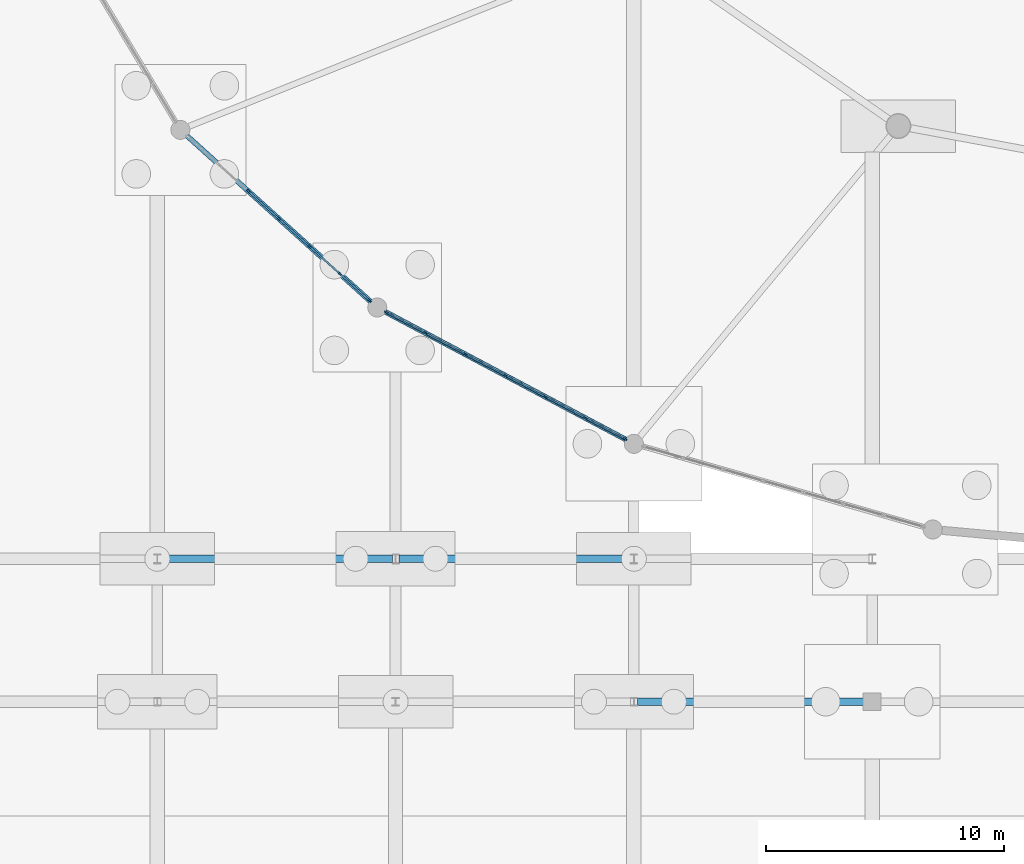
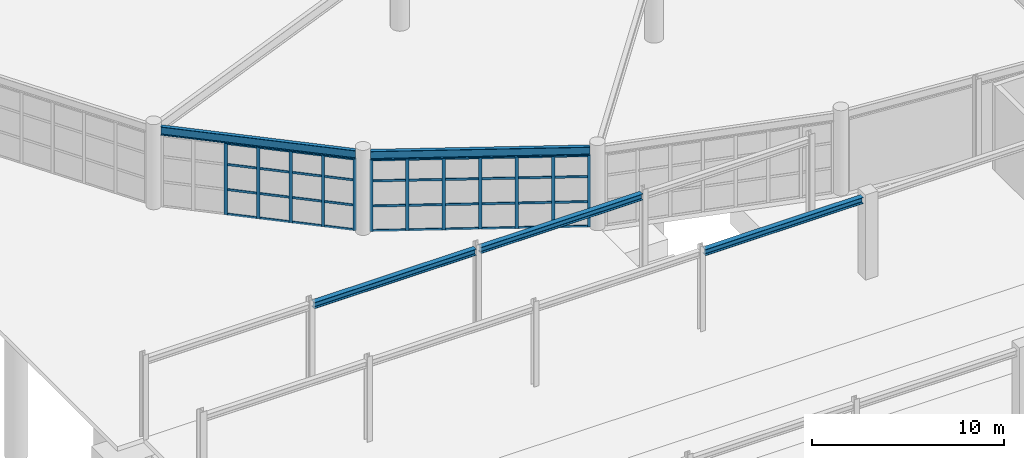
# One storey, part 31 of 99: 52 members, 5 beams, 2 elements without a shape of their own.
"""IFC4 building model written with IfcOpenShell, lengths in metres."""

from ifc_helpers import new_model, si_unit, direction, frame, origin, origin_2d, place, context, subcontext, project, spatial, rectangle, i_section, extrude, material, layer, layer_set, material_profile, profile_set, type_object, element, aggregate, save


model = new_model("IFC4")

# Units and contexts
model_context = context("Model", 3, precision=1e-05, world=origin(), true_north=direction((0.0, 1.0)))
body_context = subcontext(model_context, "Body", "Model", "MODEL_VIEW")
ifc_project = project(units=[si_unit("LENGTHUNIT", "METRE"), si_unit("AREAUNIT", "SQUARE_METRE"), si_unit("VOLUMEUNIT", "CUBIC_METRE"), si_unit("PLANEANGLEUNIT", "RADIAN"), si_unit("MASSUNIT", "GRAM", prefix="KILO")], contexts=[model_context])

# Site, building, storey
site_placement = place(None, origin())
site = spatial("IfcSite", under=ifc_project, at=site_placement, CompositionType="ELEMENT")
building_placement = place(site_placement, origin())
building = spatial("IfcBuilding", under=site, at=building_placement, Name="Kivolera Central Railway Station", CompositionType="ELEMENT")
storey_placement = place(building_placement, origin())
storey = spatial("IfcBuildingStorey", under=building, at=storey_placement, Name="L00", CompositionType="ELEMENT", Elevation=0.0)

# Beams
ifc_material_1 = material(Name="Steel S355", Category="steel")
ifc_material_profile_1 = material_profile(ifc_material_1, i_section(OverallWidth=0.300048828125, OverallDepth=0.389892578125, WebThickness=0.010986328125, FlangeThickness=0.01904296875, FilletRadius=0.027099609375, at=origin_2d()), Name="HEA 400")
ifc_profile_set_1 = profile_set([ifc_material_profile_1], Name="Steel S355")
beam_type_1 = type_object("IfcBeamType", Name="BM-SHD-HEA400", PredefinedType="BEAM", material=ifc_profile_set_1)
beam_1_placement = place(storey_placement, frame((38.14697265625, 48.0, 4.919921875), z_axis=(1.0, 0.0, 0.0), x_axis=(0.0, 1.0, 0.0)))
element("IfcBeam", 1, at=beam_1_placement, inside=storey, type_object=beam_type_1, Name="Train Shed Longitudinal Tie Beam D:4-5", PredefinedType="BEAM", context=body_context, shape_type="SweptSolid", body=[
    extrude(i_section(OverallWidth=0.300048828125, OverallDepth=0.389892578125, WebThickness=0.010986328125, FlangeThickness=0.01904296875, FilletRadius=0.027099609375, at=origin_2d()), origin(), (0.0, 0.0, 1.0), 9.486083984375),
])
for number, where, z_axis, x_axis, name in (
    (2, (18.136962890625, 54.0, 4.919921875), (1.0, 0.0, 0.0), (0.0, 1.0, 0.0), "Train Shed Longitudinal Tie Beam E:2-3"),
    (3, (28.136962890625, 54.0, 4.919921875), (1.0, 0.0, 0.0), (0.0, 1.0, 0.0), "Train Shed Longitudinal Tie Beam E:3-4"),
):
    element("IfcBeam", number, at=place(storey_placement, frame(where, z_axis=z_axis, x_axis=x_axis)), inside=storey, type_object=beam_type_1, Name=name, PredefinedType="BEAM", context=body_context, shape_type="SweptSolid", body=[
        extrude(i_section(OverallWidth=0.300048828125, OverallDepth=0.389892578125, WebThickness=0.010986328125, FlangeThickness=0.01904296875, FilletRadius=0.027099609375, at=origin_2d()), origin(), (0.0, 0.0, 1.0), 9.72607421875),
    ])
ifc_material_profile_2 = material_profile(ifc_material_1, i_section(OverallWidth=0.209228515625, OverallDepth=0.533203125, WebThickness=0.010009765625, FlangeThickness=0.015625, FilletRadius=0.0126953125, at=origin_2d()), Name="UB 533x210x92")
ifc_profile_set_2 = profile_set([ifc_material_profile_2], Name="Steel S355")
beam_type_2 = type_object("IfcBeamType", Name="BM-SHD-UB533", PredefinedType="BEAM", material=ifc_profile_set_2)
beam_2_placement = place(storey_placement, frame((19.257080078125, 71.739013671875, 4.841064453125), z_axis=(0.742356199881, -0.670005427215, 0.0), x_axis=(0.670005427215, 0.742356199881, 0.0)))
element("IfcBeam", 4, at=beam_2_placement, inside=storey, type_object=beam_type_2, Name="L00 Oval Perimeter Ring Beam 15", PredefinedType="BEAM", context=body_context, shape_type="SweptSolid", body=[
    extrude(i_section(OverallWidth=0.209228515625, OverallDepth=0.533203125, WebThickness=0.010009765625, FlangeThickness=0.015625, FilletRadius=0.0126953125, at=origin_2d()), origin(), (0.0, 0.0, 1.0), 10.349365234375),
])
beam_3_placement = place(storey_placement, frame((27.573974609375, 64.361083984375, 4.841064453125), z_axis=(0.883155588993, -0.469080169725, 0.0), x_axis=(0.469080169725, 0.883155588993, 0.0)))
element("IfcBeam", 5, at=beam_3_placement, inside=storey, type_object=beam_type_2, Name="L00 Oval Perimeter Ring Beam 16", PredefinedType="BEAM", context=body_context, shape_type="SweptSolid", body=[
    extrude(i_section(OverallWidth=0.209228515625, OverallDepth=0.533203125, WebThickness=0.010009765625, FlangeThickness=0.015625, FilletRadius=0.0126953125, at=origin_2d()), origin(), (0.0, 0.0, 1.0), 11.416015625),
])

# Curtain wall, members
ifc_material_2 = material(Name="Anodised aluminium", Category="aluminium")
ifc_layer_1 = layer(ifc_material_2, 0.179931640625, Name="Anodised aluminium")
ifc_layer_set_1 = layer_set([ifc_layer_1], Name="Anodised aluminium")
curtain_wall_type_1 = type_object("IfcCurtainWallType", Name="CW-SYS-04", PredefinedType="NOTDEFINED", material=ifc_layer_set_1)
curtain_wall_1_placement = place(storey_placement, origin())
curtain_wall_1 = element("IfcCurtainWall", 6, at=curtain_wall_1_placement, inside=storey, type_object=curtain_wall_type_1, Name="L00 Curtain Wall CW-L00-OVL-14", PredefinedType="NOTDEFINED")
ifc_material_profile_3 = material_profile(ifc_material_2, rectangle(XDim=0.070068359375, YDim=0.179931640625, at=origin_2d()), Name="ALU MULL 70x180")
ifc_profile_set_3 = profile_set([ifc_material_profile_3], Name="Anodised aluminium")
member_type_1 = type_object("IfcMemberType", Name="CWM-MUL-1", PredefinedType="MULLION", material=ifc_profile_set_3)
member_1_placement = place(storey_placement, frame((26.906982421875, 64.83544921875, -0.0048828125), z_axis=(0.0, 0.0, 1.0), x_axis=(-0.66992157428, -0.742431871833, 0.0)))
member_1 = element("IfcMember", 7, at=member_1_placement, type_object=member_type_1, Name="CW-04 mullion 1", PredefinedType="MULLION", context=body_context, shape_type="SweptSolid", body=[
    extrude(rectangle(XDim=0.070068359375, YDim=0.179931640625, at=origin_2d()), origin(), (0.0, 0.0, 1.0), 4.554931640625),
])
member_2_placement = place(storey_placement, frame((25.65478515625, 65.96533203125, -0.0048828125), z_axis=(0.0, 0.0, 1.0), x_axis=(-0.66992157428, -0.742431871833, 0.0)))
member_2 = element("IfcMember", 8, at=member_2_placement, type_object=member_type_1, Name="CW-04 mullion 2", PredefinedType="MULLION", context=body_context, shape_type="SweptSolid", body=[
    extrude(rectangle(XDim=0.070068359375, YDim=0.179931640625, at=origin_2d()), origin(), (0.0, 0.0, 1.0), 4.554931640625),
])
member_3_placement = place(storey_placement, frame((24.376708984375, 67.11865234375, -0.0048828125), z_axis=(0.0, 0.0, 1.0), x_axis=(-0.66992157428, -0.742431871833, 0.0)))
member_3 = element("IfcMember", 9, at=member_3_placement, type_object=member_type_1, Name="CW-04 mullion 3", PredefinedType="MULLION", context=body_context, shape_type="SweptSolid", body=[
    extrude(rectangle(XDim=0.070068359375, YDim=0.179931640625, at=origin_2d()), origin(), (0.0, 0.0, 1.0), 4.554931640625),
])
member_4_placement = place(storey_placement, frame((23.098388671875, 68.27197265625, -0.0048828125), z_axis=(0.0, 0.0, 1.0), x_axis=(-0.66992157428, -0.742431871833, 0.0)))
member_4 = element("IfcMember", 10, at=member_4_placement, type_object=member_type_1, Name="CW-04 mullion 4", PredefinedType="MULLION", context=body_context, shape_type="SweptSolid", body=[
    extrude(rectangle(XDim=0.070068359375, YDim=0.179931640625, at=origin_2d()), origin(), (0.0, 0.0, 1.0), 4.554931640625),
])
member_5_placement = place(storey_placement, frame((21.8203125, 69.42529296875, -0.0048828125), z_axis=(0.0, 0.0, 1.0), x_axis=(-0.66992157428, -0.742431871833, 0.0)))
member_5 = element("IfcMember", 11, at=member_5_placement, type_object=member_type_1, Name="CW-04 mullion 5", PredefinedType="MULLION", context=body_context, shape_type="SweptSolid", body=[
    extrude(rectangle(XDim=0.070068359375, YDim=0.179931640625, at=origin_2d()), origin(), (0.0, 0.0, 1.0), 4.554931640625),
])

ifc_layer_2 = layer(ifc_material_2, 0.179931640625, Name="Anodised aluminium")
ifc_layer_set_2 = layer_set([ifc_layer_2], Name="Anodised aluminium")
curtain_wall_type_2 = type_object("IfcCurtainWallType", Name="CW-SYS-07", PredefinedType="NOTDEFINED", material=ifc_layer_set_2)
curtain_wall_2_placement = place(storey_placement, origin())
curtain_wall_2 = element("IfcCurtainWall", 12, at=curtain_wall_2_placement, inside=storey, type_object=curtain_wall_type_2, Name="L00 Curtain Wall CW-L00-OVL-15", PredefinedType="NOTDEFINED")
member_6_placement = place(storey_placement, frame((37.6162109375, 59.02734375, -0.0048828125), z_axis=(0.0, 0.0, 1.0), x_axis=(-0.469052563023, -0.883170251493, 0.0)))
member_6 = element("IfcMember", 13, at=member_6_placement, type_object=member_type_1, Name="CW-07 mullion 1", PredefinedType="MULLION", context=body_context, shape_type="SweptSolid", body=[
    extrude(rectangle(XDim=0.070068359375, YDim=0.179931640625, at=origin_2d()), origin(), (0.0, 0.0, 1.0), 4.554931640625),
])
member_7_placement = place(storey_placement, frame((35.9697265625, 59.90185546875, -0.0048828125), z_axis=(0.0, 0.0, 1.0), x_axis=(-0.469052563023, -0.883170251493, 0.0)))
member_7 = element("IfcMember", 14, at=member_7_placement, type_object=member_type_1, Name="CW-07 mullion 2", PredefinedType="MULLION", context=body_context, shape_type="SweptSolid", body=[
    extrude(rectangle(XDim=0.070068359375, YDim=0.179931640625, at=origin_2d()), origin(), (0.0, 0.0, 1.0), 4.554931640625),
])
member_8_placement = place(storey_placement, frame((34.292236328125, 60.792724609375, -0.0048828125), z_axis=(0.0, 0.0, 1.0), x_axis=(-0.469052563023, -0.883170251493, 0.0)))
member_8 = element("IfcMember", 15, at=member_8_placement, type_object=member_type_1, Name="CW-07 mullion 3", PredefinedType="MULLION", context=body_context, shape_type="SweptSolid", body=[
    extrude(rectangle(XDim=0.070068359375, YDim=0.179931640625, at=origin_2d()), origin(), (0.0, 0.0, 1.0), 4.554931640625),
])
member_9_placement = place(storey_placement, frame((32.614990234375, 61.68359375, -0.0048828125), z_axis=(0.0, 0.0, 1.0), x_axis=(-0.469052563023, -0.883170251493, 0.0)))
member_9 = element("IfcMember", 16, at=member_9_placement, type_object=member_type_1, Name="CW-07 mullion 4", PredefinedType="MULLION", context=body_context, shape_type="SweptSolid", body=[
    extrude(rectangle(XDim=0.070068359375, YDim=0.179931640625, at=origin_2d()), origin(), (0.0, 0.0, 1.0), 4.554931640625),
])
member_10_placement = place(storey_placement, frame((30.937744140625, 62.57421875, -0.0048828125), z_axis=(0.0, 0.0, 1.0), x_axis=(-0.469052563023, -0.883170251493, 0.0)))
member_10 = element("IfcMember", 17, at=member_10_placement, type_object=member_type_1, Name="CW-07 mullion 5", PredefinedType="MULLION", context=body_context, shape_type="SweptSolid", body=[
    extrude(rectangle(XDim=0.070068359375, YDim=0.179931640625, at=origin_2d()), origin(), (0.0, 0.0, 1.0), 4.554931640625),
])
member_11_placement = place(storey_placement, frame((29.26025390625, 63.465087890625, -0.0048828125), z_axis=(0.0, 0.0, 1.0), x_axis=(-0.469052563023, -0.883170251493, 0.0)))
member_11 = element("IfcMember", 18, at=member_11_placement, type_object=member_type_1, Name="CW-07 mullion 6", PredefinedType="MULLION", context=body_context, shape_type="SweptSolid", body=[
    extrude(rectangle(XDim=0.070068359375, YDim=0.179931640625, at=origin_2d()), origin(), (0.0, 0.0, 1.0), 4.554931640625),
])
member_12_placement = place(storey_placement, frame((27.614013671875, 64.339599609375, -0.0048828125), z_axis=(0.0, 0.0, 1.0), x_axis=(-0.469052563023, -0.883170251493, 0.0)))
member_12 = element("IfcMember", 19, at=member_12_placement, type_object=member_type_1, Name="CW-07 mullion 7", PredefinedType="MULLION", context=body_context, shape_type="SweptSolid", body=[
    extrude(rectangle(XDim=0.070068359375, YDim=0.179931640625, at=origin_2d()), origin(), (0.0, 0.0, 1.0), 4.554931640625),
])

# Member
ifc_material_profile_4 = material_profile(ifc_material_2, rectangle(XDim=0.070068359375, YDim=0.139892578125, at=origin_2d()), Name="ALU TRAN 70x140")
ifc_profile_set_4 = profile_set([ifc_material_profile_4], Name="Anodised aluminium")
member_type_2 = type_object("IfcMemberType", Name="CWM-TRN-1", PredefinedType="USERDEFINED", material=ifc_profile_set_4)
member_13_placement = place(storey_placement, frame((26.881103515625, 64.85888671875, 0.034912109375), z_axis=(-0.742422429893, 0.66993203804, 0.0), x_axis=(-0.66993203804, -0.742422429893, 0.0)))
member_13 = element("IfcMember", 20, at=member_13_placement, type_object=member_type_2, Name="CW-04 transom 1.1", ObjectType="TRANSOM", PredefinedType="USERDEFINED", context=body_context, shape_type="SweptSolid", body=[
    extrude(rectangle(XDim=0.070068359375, YDim=0.139892578125, at=origin_2d()), origin(), (0.0, 0.0, 1.0), 1.61669921875),
])

member_14_placement = place(storey_placement, frame((26.881103515625, 64.85888671875, 1.592529296875), z_axis=(-0.742422429893, 0.66993203804, 0.0), x_axis=(-0.66993203804, -0.742422429893, 0.0)))
member_14 = element("IfcMember", 21, at=member_14_placement, type_object=member_type_2, Name="CW-04 transom 1.2", ObjectType="TRANSOM", PredefinedType="USERDEFINED", context=body_context, shape_type="SweptSolid", body=[
    extrude(rectangle(XDim=0.070068359375, YDim=0.139892578125, at=origin_2d()), origin(), (0.0, 0.0, 1.0), 1.61669921875),
])

member_15_placement = place(storey_placement, frame((26.881103515625, 64.85888671875, 3.18505859375), z_axis=(-0.742422429893, 0.66993203804, 0.0), x_axis=(-0.66993203804, -0.742422429893, 0.0)))
member_15 = element("IfcMember", 22, at=member_15_placement, type_object=member_type_2, Name="CW-04 transom 1.3", ObjectType="TRANSOM", PredefinedType="USERDEFINED", context=body_context, shape_type="SweptSolid", body=[
    extrude(rectangle(XDim=0.070068359375, YDim=0.139892578125, at=origin_2d()), origin(), (0.0, 0.0, 1.0), 1.61669921875),
])

member_16_placement = place(storey_placement, frame((26.881103515625, 64.85888671875, 4.514892578125), z_axis=(-0.742422429893, 0.66993203804, 0.0), x_axis=(-0.66993203804, -0.742422429893, 0.0)))
member_16 = element("IfcMember", 23, at=member_16_placement, type_object=member_type_2, Name="CW-04 transom 1.4", ObjectType="TRANSOM", PredefinedType="USERDEFINED", context=body_context, shape_type="SweptSolid", body=[
    extrude(rectangle(XDim=0.070068359375, YDim=0.139892578125, at=origin_2d()), origin(), (0.0, 0.0, 1.0), 1.61669921875),
])

member_17_placement = place(storey_placement, frame((25.62890625, 65.98876953125, 0.034912109375), z_axis=(-0.74246304586, 0.669887024455, 0.0), x_axis=(-0.669887024455, -0.74246304586, 0.0)))
member_17 = element("IfcMember", 24, at=member_17_placement, type_object=member_type_2, Name="CW-04 transom 2.1", ObjectType="TRANSOM", PredefinedType="USERDEFINED", context=body_context, shape_type="SweptSolid", body=[
    extrude(rectangle(XDim=0.070068359375, YDim=0.139892578125, at=origin_2d()), origin(), (0.0, 0.0, 1.0), 1.651611328125),
])

member_18_placement = place(storey_placement, frame((25.62890625, 65.98876953125, 1.592529296875), z_axis=(-0.74246304586, 0.669887024455, 0.0), x_axis=(-0.669887024455, -0.74246304586, 0.0)))
member_18 = element("IfcMember", 25, at=member_18_placement, type_object=member_type_2, Name="CW-04 transom 2.2", ObjectType="TRANSOM", PredefinedType="USERDEFINED", context=body_context, shape_type="SweptSolid", body=[
    extrude(rectangle(XDim=0.070068359375, YDim=0.139892578125, at=origin_2d()), origin(), (0.0, 0.0, 1.0), 1.651611328125),
])

member_19_placement = place(storey_placement, frame((25.62890625, 65.98876953125, 3.18505859375), z_axis=(-0.74246304586, 0.669887024455, 0.0), x_axis=(-0.669887024455, -0.74246304586, 0.0)))
member_19 = element("IfcMember", 26, at=member_19_placement, type_object=member_type_2, Name="CW-04 transom 2.3", ObjectType="TRANSOM", PredefinedType="USERDEFINED", context=body_context, shape_type="SweptSolid", body=[
    extrude(rectangle(XDim=0.070068359375, YDim=0.139892578125, at=origin_2d()), origin(), (0.0, 0.0, 1.0), 1.651611328125),
])

member_20_placement = place(storey_placement, frame((25.62890625, 65.98876953125, 4.514892578125), z_axis=(-0.74246304586, 0.669887024455, 0.0), x_axis=(-0.669887024455, -0.74246304586, 0.0)))
member_20 = element("IfcMember", 27, at=member_20_placement, type_object=member_type_2, Name="CW-04 transom 2.4", ObjectType="TRANSOM", PredefinedType="USERDEFINED", context=body_context, shape_type="SweptSolid", body=[
    extrude(rectangle(XDim=0.070068359375, YDim=0.139892578125, at=origin_2d()), origin(), (0.0, 0.0, 1.0), 1.651611328125),
])

member_21_placement = place(storey_placement, frame((24.3505859375, 67.14208984375, 0.034912109375), z_axis=(-0.742396704206, 0.669960546289, 0.0), x_axis=(-0.669960546289, -0.742396704206, 0.0)))
member_21 = element("IfcMember", 28, at=member_21_placement, type_object=member_type_2, Name="CW-04 transom 3.1", ObjectType="TRANSOM", PredefinedType="USERDEFINED", context=body_context, shape_type="SweptSolid", body=[
    extrude(rectangle(XDim=0.070068359375, YDim=0.139892578125, at=origin_2d()), origin(), (0.0, 0.0, 1.0), 1.651611328125),
])

member_22_placement = place(storey_placement, frame((24.3505859375, 67.14208984375, 1.592529296875), z_axis=(-0.742396704206, 0.669960546289, 0.0), x_axis=(-0.669960546289, -0.742396704206, 0.0)))
member_22 = element("IfcMember", 29, at=member_22_placement, type_object=member_type_2, Name="CW-04 transom 3.2", ObjectType="TRANSOM", PredefinedType="USERDEFINED", context=body_context, shape_type="SweptSolid", body=[
    extrude(rectangle(XDim=0.070068359375, YDim=0.139892578125, at=origin_2d()), origin(), (0.0, 0.0, 1.0), 1.651611328125),
])

member_23_placement = place(storey_placement, frame((24.3505859375, 67.14208984375, 3.18505859375), z_axis=(-0.742396704206, 0.669960546289, 0.0), x_axis=(-0.669960546289, -0.742396704206, 0.0)))
member_23 = element("IfcMember", 30, at=member_23_placement, type_object=member_type_2, Name="CW-04 transom 3.3", ObjectType="TRANSOM", PredefinedType="USERDEFINED", context=body_context, shape_type="SweptSolid", body=[
    extrude(rectangle(XDim=0.070068359375, YDim=0.139892578125, at=origin_2d()), origin(), (0.0, 0.0, 1.0), 1.651611328125),
])

member_24_placement = place(storey_placement, frame((24.3505859375, 67.14208984375, 4.514892578125), z_axis=(-0.742396704206, 0.669960546289, 0.0), x_axis=(-0.669960546289, -0.742396704206, 0.0)))
member_24 = element("IfcMember", 31, at=member_24_placement, type_object=member_type_2, Name="CW-04 transom 3.4", ObjectType="TRANSOM", PredefinedType="USERDEFINED", context=body_context, shape_type="SweptSolid", body=[
    extrude(rectangle(XDim=0.070068359375, YDim=0.139892578125, at=origin_2d()), origin(), (0.0, 0.0, 1.0), 1.651611328125),
])

member_25_placement = place(storey_placement, frame((23.072509765625, 68.29541015625, 0.034912109375), z_axis=(-0.742396704206, 0.669960546289, 0.0), x_axis=(-0.669960546289, -0.742396704206, 0.0)))
member_25 = element("IfcMember", 32, at=member_25_placement, type_object=member_type_2, Name="CW-04 transom 4.1", ObjectType="TRANSOM", PredefinedType="USERDEFINED", context=body_context, shape_type="SweptSolid", body=[
    extrude(rectangle(XDim=0.070068359375, YDim=0.139892578125, at=origin_2d()), origin(), (0.0, 0.0, 1.0), 1.651611328125),
])

member_26_placement = place(storey_placement, frame((23.072509765625, 68.29541015625, 1.592529296875), z_axis=(-0.742396704206, 0.669960546289, 0.0), x_axis=(-0.669960546289, -0.742396704206, 0.0)))
member_26 = element("IfcMember", 33, at=member_26_placement, type_object=member_type_2, Name="CW-04 transom 4.2", ObjectType="TRANSOM", PredefinedType="USERDEFINED", context=body_context, shape_type="SweptSolid", body=[
    extrude(rectangle(XDim=0.070068359375, YDim=0.139892578125, at=origin_2d()), origin(), (0.0, 0.0, 1.0), 1.651611328125),
])

member_27_placement = place(storey_placement, frame((23.072509765625, 68.29541015625, 3.18505859375), z_axis=(-0.742396704206, 0.669960546289, 0.0), x_axis=(-0.669960546289, -0.742396704206, 0.0)))
member_27 = element("IfcMember", 34, at=member_27_placement, type_object=member_type_2, Name="CW-04 transom 4.3", ObjectType="TRANSOM", PredefinedType="USERDEFINED", context=body_context, shape_type="SweptSolid", body=[
    extrude(rectangle(XDim=0.070068359375, YDim=0.139892578125, at=origin_2d()), origin(), (0.0, 0.0, 1.0), 1.651611328125),
])

member_28_placement = place(storey_placement, frame((23.072509765625, 68.29541015625, 4.514892578125), z_axis=(-0.742396704206, 0.669960546289, 0.0), x_axis=(-0.669960546289, -0.742396704206, 0.0)))
member_28 = element("IfcMember", 35, at=member_28_placement, type_object=member_type_2, Name="CW-04 transom 4.4", ObjectType="TRANSOM", PredefinedType="USERDEFINED", context=body_context, shape_type="SweptSolid", body=[
    extrude(rectangle(XDim=0.070068359375, YDim=0.139892578125, at=origin_2d()), origin(), (0.0, 0.0, 1.0), 1.651611328125),
])

aggregate(curtain_wall_1, [member_1, member_2, member_3, member_4, member_5, member_13, member_14, member_15, member_16, member_17, member_18, member_19, member_20, member_21, member_22, member_23, member_24, member_25, member_26, member_27, member_28])

member_29_placement = place(storey_placement, frame((37.585205078125, 59.0439453125, 0.034912109375), z_axis=(-0.883191460259, 0.469012627255, 0.0), x_axis=(-0.469012627255, -0.883191460259, 0.0)))
member_29 = element("IfcMember", 36, at=member_29_placement, type_object=member_type_2, Name="CW-07 transom 1.1", ObjectType="TRANSOM", PredefinedType="USERDEFINED", context=body_context, shape_type="SweptSolid", body=[
    extrude(rectangle(XDim=0.070068359375, YDim=0.139892578125, at=origin_2d()), origin(), (0.0, 0.0, 1.0), 1.794189453125),
])

member_30_placement = place(storey_placement, frame((37.585205078125, 59.0439453125, 1.592529296875), z_axis=(-0.883191460259, 0.469012627255, 0.0), x_axis=(-0.469012627255, -0.883191460259, 0.0)))
member_30 = element("IfcMember", 37, at=member_30_placement, type_object=member_type_2, Name="CW-07 transom 1.2", ObjectType="TRANSOM", PredefinedType="USERDEFINED", context=body_context, shape_type="SweptSolid", body=[
    extrude(rectangle(XDim=0.070068359375, YDim=0.139892578125, at=origin_2d()), origin(), (0.0, 0.0, 1.0), 1.794189453125),
])

member_31_placement = place(storey_placement, frame((37.585205078125, 59.0439453125, 3.18505859375), z_axis=(-0.883191460259, 0.469012627255, 0.0), x_axis=(-0.469012627255, -0.883191460259, 0.0)))
member_31 = element("IfcMember", 38, at=member_31_placement, type_object=member_type_2, Name="CW-07 transom 1.3", ObjectType="TRANSOM", PredefinedType="USERDEFINED", context=body_context, shape_type="SweptSolid", body=[
    extrude(rectangle(XDim=0.070068359375, YDim=0.139892578125, at=origin_2d()), origin(), (0.0, 0.0, 1.0), 1.794189453125),
])

member_32_placement = place(storey_placement, frame((37.585205078125, 59.0439453125, 4.514892578125), z_axis=(-0.883191460259, 0.469012627255, 0.0), x_axis=(-0.469012627255, -0.883191460259, 0.0)))
member_32 = element("IfcMember", 39, at=member_32_placement, type_object=member_type_2, Name="CW-07 transom 1.4", ObjectType="TRANSOM", PredefinedType="USERDEFINED", context=body_context, shape_type="SweptSolid", body=[
    extrude(rectangle(XDim=0.070068359375, YDim=0.139892578125, at=origin_2d()), origin(), (0.0, 0.0, 1.0), 1.794189453125),
])

member_33_placement = place(storey_placement, frame((35.938720703125, 59.918212890625, 0.034912109375), z_axis=(-0.883131271136, 0.469125951042, 0.0), x_axis=(-0.469125951042, -0.883131271136, 0.0)))
member_33 = element("IfcMember", 40, at=member_33_placement, type_object=member_type_2, Name="CW-07 transom 2.1", ObjectType="TRANSOM", PredefinedType="USERDEFINED", context=body_context, shape_type="SweptSolid", body=[
    extrude(rectangle(XDim=0.070068359375, YDim=0.139892578125, at=origin_2d()), origin(), (0.0, 0.0, 1.0), 1.829345703125),
])

member_34_placement = place(storey_placement, frame((35.938720703125, 59.918212890625, 1.592529296875), z_axis=(-0.883131271136, 0.469125951042, 0.0), x_axis=(-0.469125951042, -0.883131271136, 0.0)))
member_34 = element("IfcMember", 41, at=member_34_placement, type_object=member_type_2, Name="CW-07 transom 2.2", ObjectType="TRANSOM", PredefinedType="USERDEFINED", context=body_context, shape_type="SweptSolid", body=[
    extrude(rectangle(XDim=0.070068359375, YDim=0.139892578125, at=origin_2d()), origin(), (0.0, 0.0, 1.0), 1.829345703125),
])

member_35_placement = place(storey_placement, frame((35.938720703125, 59.918212890625, 3.18505859375), z_axis=(-0.883131271136, 0.469125951042, 0.0), x_axis=(-0.469125951042, -0.883131271136, 0.0)))
member_35 = element("IfcMember", 42, at=member_35_placement, type_object=member_type_2, Name="CW-07 transom 2.3", ObjectType="TRANSOM", PredefinedType="USERDEFINED", context=body_context, shape_type="SweptSolid", body=[
    extrude(rectangle(XDim=0.070068359375, YDim=0.139892578125, at=origin_2d()), origin(), (0.0, 0.0, 1.0), 1.829345703125),
])

member_36_placement = place(storey_placement, frame((35.938720703125, 59.918212890625, 4.514892578125), z_axis=(-0.883131271136, 0.469125951042, 0.0), x_axis=(-0.469125951042, -0.883131271136, 0.0)))
member_36 = element("IfcMember", 43, at=member_36_placement, type_object=member_type_2, Name="CW-07 transom 2.4", ObjectType="TRANSOM", PredefinedType="USERDEFINED", context=body_context, shape_type="SweptSolid", body=[
    extrude(rectangle(XDim=0.070068359375, YDim=0.139892578125, at=origin_2d()), origin(), (0.0, 0.0, 1.0), 1.829345703125),
])

member_37_placement = place(storey_placement, frame((34.261474609375, 60.80908203125, 0.034912109375), z_axis=(-0.88318656257, 0.469021849913, 0.0), x_axis=(-0.469021849913, -0.88318656257, 0.0)))
member_37 = element("IfcMember", 44, at=member_37_placement, type_object=member_type_2, Name="CW-07 transom 3.1", ObjectType="TRANSOM", PredefinedType="USERDEFINED", context=body_context, shape_type="SweptSolid", body=[
    extrude(rectangle(XDim=0.070068359375, YDim=0.139892578125, at=origin_2d()), origin(), (0.0, 0.0, 1.0), 1.8291015625),
])

member_38_placement = place(storey_placement, frame((34.261474609375, 60.80908203125, 1.592529296875), z_axis=(-0.88318656257, 0.469021849913, 0.0), x_axis=(-0.469021849913, -0.88318656257, 0.0)))
member_38 = element("IfcMember", 45, at=member_38_placement, type_object=member_type_2, Name="CW-07 transom 3.2", ObjectType="TRANSOM", PredefinedType="USERDEFINED", context=body_context, shape_type="SweptSolid", body=[
    extrude(rectangle(XDim=0.070068359375, YDim=0.139892578125, at=origin_2d()), origin(), (0.0, 0.0, 1.0), 1.8291015625),
])

member_39_placement = place(storey_placement, frame((34.261474609375, 60.80908203125, 3.18505859375), z_axis=(-0.88318656257, 0.469021849913, 0.0), x_axis=(-0.469021849913, -0.88318656257, 0.0)))
member_39 = element("IfcMember", 46, at=member_39_placement, type_object=member_type_2, Name="CW-07 transom 3.3", ObjectType="TRANSOM", PredefinedType="USERDEFINED", context=body_context, shape_type="SweptSolid", body=[
    extrude(rectangle(XDim=0.070068359375, YDim=0.139892578125, at=origin_2d()), origin(), (0.0, 0.0, 1.0), 1.8291015625),
])

member_40_placement = place(storey_placement, frame((34.261474609375, 60.80908203125, 4.514892578125), z_axis=(-0.88318656257, 0.469021849913, 0.0), x_axis=(-0.469021849913, -0.88318656257, 0.0)))
member_40 = element("IfcMember", 47, at=member_40_placement, type_object=member_type_2, Name="CW-07 transom 3.4", ObjectType="TRANSOM", PredefinedType="USERDEFINED", context=body_context, shape_type="SweptSolid", body=[
    extrude(rectangle(XDim=0.070068359375, YDim=0.139892578125, at=origin_2d()), origin(), (0.0, 0.0, 1.0), 1.8291015625),
])

member_41_placement = place(storey_placement, frame((32.583984375, 61.699951171875, 0.034912109375), z_axis=(-0.88318656257, 0.469021849913, 0.0), x_axis=(-0.469021849913, -0.88318656257, 0.0)))
member_41 = element("IfcMember", 48, at=member_41_placement, type_object=member_type_2, Name="CW-07 transom 4.1", ObjectType="TRANSOM", PredefinedType="USERDEFINED", context=body_context, shape_type="SweptSolid", body=[
    extrude(rectangle(XDim=0.070068359375, YDim=0.139892578125, at=origin_2d()), origin(), (0.0, 0.0, 1.0), 1.8291015625),
])

member_42_placement = place(storey_placement, frame((32.583984375, 61.699951171875, 1.592529296875), z_axis=(-0.88318656257, 0.469021849913, 0.0), x_axis=(-0.469021849913, -0.88318656257, 0.0)))
member_42 = element("IfcMember", 49, at=member_42_placement, type_object=member_type_2, Name="CW-07 transom 4.2", ObjectType="TRANSOM", PredefinedType="USERDEFINED", context=body_context, shape_type="SweptSolid", body=[
    extrude(rectangle(XDim=0.070068359375, YDim=0.139892578125, at=origin_2d()), origin(), (0.0, 0.0, 1.0), 1.8291015625),
])

member_43_placement = place(storey_placement, frame((32.583984375, 61.699951171875, 3.18505859375), z_axis=(-0.88318656257, 0.469021849913, 0.0), x_axis=(-0.469021849913, -0.88318656257, 0.0)))
member_43 = element("IfcMember", 50, at=member_43_placement, type_object=member_type_2, Name="CW-07 transom 4.3", ObjectType="TRANSOM", PredefinedType="USERDEFINED", context=body_context, shape_type="SweptSolid", body=[
    extrude(rectangle(XDim=0.070068359375, YDim=0.139892578125, at=origin_2d()), origin(), (0.0, 0.0, 1.0), 1.8291015625),
])

member_44_placement = place(storey_placement, frame((32.583984375, 61.699951171875, 4.514892578125), z_axis=(-0.88318656257, 0.469021849913, 0.0), x_axis=(-0.469021849913, -0.88318656257, 0.0)))
member_44 = element("IfcMember", 51, at=member_44_placement, type_object=member_type_2, Name="CW-07 transom 4.4", ObjectType="TRANSOM", PredefinedType="USERDEFINED", context=body_context, shape_type="SweptSolid", body=[
    extrude(rectangle(XDim=0.070068359375, YDim=0.139892578125, at=origin_2d()), origin(), (0.0, 0.0, 1.0), 1.8291015625),
])

member_45_placement = place(storey_placement, frame((30.90673828125, 62.5908203125, 0.034912109375), z_axis=(-0.88318656257, 0.469021849913, 0.0), x_axis=(-0.469021849913, -0.88318656257, 0.0)))
member_45 = element("IfcMember", 52, at=member_45_placement, type_object=member_type_2, Name="CW-07 transom 5.1", ObjectType="TRANSOM", PredefinedType="USERDEFINED", context=body_context, shape_type="SweptSolid", body=[
    extrude(rectangle(XDim=0.070068359375, YDim=0.139892578125, at=origin_2d()), origin(), (0.0, 0.0, 1.0), 1.8291015625),
])

member_46_placement = place(storey_placement, frame((30.90673828125, 62.5908203125, 1.592529296875), z_axis=(-0.88318656257, 0.469021849913, 0.0), x_axis=(-0.469021849913, -0.88318656257, 0.0)))
member_46 = element("IfcMember", 53, at=member_46_placement, type_object=member_type_2, Name="CW-07 transom 5.2", ObjectType="TRANSOM", PredefinedType="USERDEFINED", context=body_context, shape_type="SweptSolid", body=[
    extrude(rectangle(XDim=0.070068359375, YDim=0.139892578125, at=origin_2d()), origin(), (0.0, 0.0, 1.0), 1.8291015625),
])

member_47_placement = place(storey_placement, frame((30.90673828125, 62.5908203125, 3.18505859375), z_axis=(-0.88318656257, 0.469021849913, 0.0), x_axis=(-0.469021849913, -0.88318656257, 0.0)))
member_47 = element("IfcMember", 54, at=member_47_placement, type_object=member_type_2, Name="CW-07 transom 5.3", ObjectType="TRANSOM", PredefinedType="USERDEFINED", context=body_context, shape_type="SweptSolid", body=[
    extrude(rectangle(XDim=0.070068359375, YDim=0.139892578125, at=origin_2d()), origin(), (0.0, 0.0, 1.0), 1.8291015625),
])

member_48_placement = place(storey_placement, frame((30.90673828125, 62.5908203125, 4.514892578125), z_axis=(-0.88318656257, 0.469021849913, 0.0), x_axis=(-0.469021849913, -0.88318656257, 0.0)))
member_48 = element("IfcMember", 55, at=member_48_placement, type_object=member_type_2, Name="CW-07 transom 5.4", ObjectType="TRANSOM", PredefinedType="USERDEFINED", context=body_context, shape_type="SweptSolid", body=[
    extrude(rectangle(XDim=0.070068359375, YDim=0.139892578125, at=origin_2d()), origin(), (0.0, 0.0, 1.0), 1.8291015625),
])

member_49_placement = place(storey_placement, frame((29.2294921875, 63.481689453125, 0.034912109375), z_axis=(-0.883191460259, 0.469012627255, 0.0), x_axis=(-0.469012627255, -0.883191460259, 0.0)))
member_49 = element("IfcMember", 56, at=member_49_placement, type_object=member_type_2, Name="CW-07 transom 6.1", ObjectType="TRANSOM", PredefinedType="USERDEFINED", context=body_context, shape_type="SweptSolid", body=[
    extrude(rectangle(XDim=0.070068359375, YDim=0.139892578125, at=origin_2d()), origin(), (0.0, 0.0, 1.0), 1.794189453125),
])

member_50_placement = place(storey_placement, frame((29.2294921875, 63.481689453125, 1.592529296875), z_axis=(-0.883191460259, 0.469012627255, 0.0), x_axis=(-0.469012627255, -0.883191460259, 0.0)))
member_50 = element("IfcMember", 57, at=member_50_placement, type_object=member_type_2, Name="CW-07 transom 6.2", ObjectType="TRANSOM", PredefinedType="USERDEFINED", context=body_context, shape_type="SweptSolid", body=[
    extrude(rectangle(XDim=0.070068359375, YDim=0.139892578125, at=origin_2d()), origin(), (0.0, 0.0, 1.0), 1.794189453125),
])

member_51_placement = place(storey_placement, frame((29.2294921875, 63.481689453125, 3.18505859375), z_axis=(-0.883191460259, 0.469012627255, 0.0), x_axis=(-0.469012627255, -0.883191460259, 0.0)))
member_51 = element("IfcMember", 58, at=member_51_placement, type_object=member_type_2, Name="CW-07 transom 6.3", ObjectType="TRANSOM", PredefinedType="USERDEFINED", context=body_context, shape_type="SweptSolid", body=[
    extrude(rectangle(XDim=0.070068359375, YDim=0.139892578125, at=origin_2d()), origin(), (0.0, 0.0, 1.0), 1.794189453125),
])

member_52_placement = place(storey_placement, frame((29.2294921875, 63.481689453125, 4.514892578125), z_axis=(-0.883191460259, 0.469012627255, 0.0), x_axis=(-0.469012627255, -0.883191460259, 0.0)))
member_52 = element("IfcMember", 59, at=member_52_placement, type_object=member_type_2, Name="CW-07 transom 6.4", ObjectType="TRANSOM", PredefinedType="USERDEFINED", context=body_context, shape_type="SweptSolid", body=[
    extrude(rectangle(XDim=0.070068359375, YDim=0.139892578125, at=origin_2d()), origin(), (0.0, 0.0, 1.0), 1.794189453125),
])

aggregate(curtain_wall_2, [member_6, member_7, member_8, member_9, member_10, member_11, member_12, member_29, member_30, member_31, member_32, member_33, member_34, member_35, member_36, member_37, member_38, member_39, member_40, member_41, member_42, member_43, member_44, member_45, member_46, member_47, member_48, member_49, member_50, member_51, member_52])

save(model, "model.ifc")
